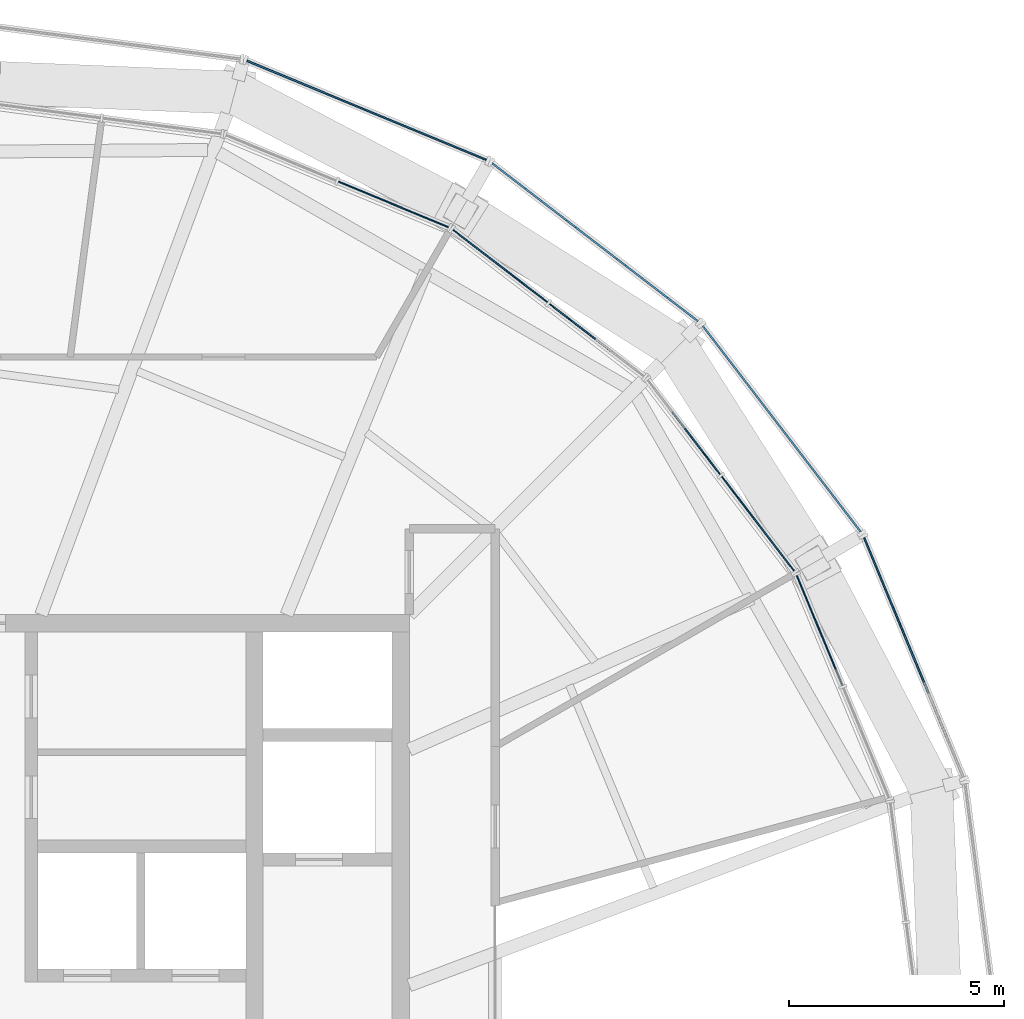
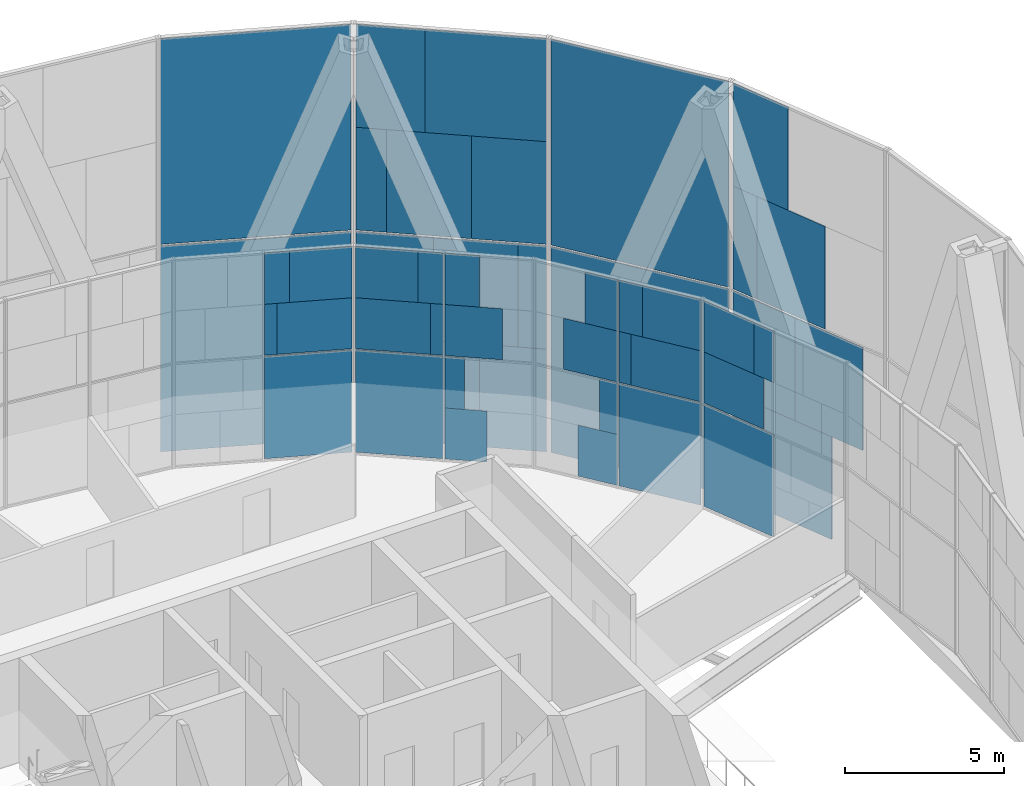
# One storey, part 18 of 22: 47 plates, 8 elements without a shape of their own.
"""IFC4 building model written with IfcOpenShell, lengths in metres."""

from ifc_helpers import new_model, si_unit, direction, frame, origin, origin_2d, place, context, subcontext, project, spatial, rectangle, extrude, material, layer, layer_set, type_object, element, aggregate, save


model = new_model("IFC4")

# Units and contexts
model_context = context("Model", 3, precision=1e-05, world=origin(), true_north=direction((0.0, 1.0)))
body_context = subcontext(model_context, "Body", "Model", "MODEL_VIEW")
ifc_project = project(units=[si_unit("LENGTHUNIT", "METRE"), si_unit("AREAUNIT", "SQUARE_METRE"), si_unit("VOLUMEUNIT", "CUBIC_METRE"), si_unit("PLANEANGLEUNIT", "RADIAN"), si_unit("MASSUNIT", "GRAM", prefix="KILO")], contexts=[model_context])

# Site, building, storey
site_placement = place(None, origin())
site = spatial("IfcSite", under=ifc_project, at=site_placement, CompositionType="ELEMENT")
building_placement = place(site_placement, origin())
building = spatial("IfcBuilding", under=site, at=building_placement, Name="Golbaran Civic Tower", CompositionType="ELEMENT")
storey_placement = place(building_placement, frame((0.0, 0.0, 264.0)))
storey = spatial("IfcBuildingStorey", under=building, at=storey_placement, Name="L64", CompositionType="ELEMENT", Elevation=264.0)

# Curtain wall, plates
ifc_material_1 = material(Name="Aluminium and glass", Category="aluminium")
curtain_wall_type_1 = type_object("IfcCurtainWallType", Name="INNER SKIN CURTAIN WALL EXECUTIVE", PredefinedType="NOTDEFINED", material=ifc_material_1)
curtain_wall_1_placement = place(storey_placement, origin())
curtain_wall_1 = element("IfcCurtainWall", 1, at=curtain_wall_1_placement, inside=storey, type_object=curtain_wall_type_1, Name="Inner skin L64 facet 2 CW2", ObjectType="INNER SKIN", PredefinedType="USERDEFINED")
ifc_material_2 = material(Name="Clear insulating glass", Category="glass")
ifc_layer_1 = layer(ifc_material_2, 0.031982421875, Name="Clear insulating glass")
ifc_layer_set_1 = layer_set([ifc_layer_1], Name="Clear insulating glass")
plate_type_1 = type_object("IfcPlateType", Name="INNER SKIN CURTAIN WALL EXECUTIVE GLAZED PANEL", PredefinedType="CURTAIN_PANEL", material=ifc_layer_set_1)
plate_1_placement = place(storey_placement, frame((19.553466796875, 9.6328125, 0.06005859375), z_axis=(0.0, 0.0, 1.0), x_axis=(-0.382683432349, 0.923879532518, 0.0)))
plate_1 = element("IfcPlate", 2, at=plate_1_placement, type_object=plate_type_1, Name="CW2 panel 2.1", PredefinedType="CURTAIN_PANEL", context=body_context, shape_type="SweptSolid", body=[
    extrude(rectangle(XDim=2.773681640625, YDim=0.031982421875, at=origin_2d()), origin(), (0.0, 0.0, 1.0), 3.909912109375),
])
plate_2_placement = place(storey_placement, frame((19.4765625, 9.818115234375, 4.030029296875), z_axis=(0.0, 0.0, 1.0), x_axis=(-0.382683432349, 0.923879532518, 0.0)))
plate_2 = element("IfcPlate", 3, at=plate_2_placement, type_object=plate_type_1, Name="CW2 panel 2.2 part 2", PredefinedType="CURTAIN_PANEL", context=body_context, shape_type="SweptSolid", body=[
    extrude(rectangle(XDim=2.37255859375, YDim=0.031982421875, at=origin_2d()), origin(), (0.0, 0.0, 1.0), 1.955078125),
])
plate_3_placement = place(storey_placement, frame((19.40185546875, 9.998779296875, 5.98486328125), z_axis=(0.0, 0.0, 1.0), x_axis=(-0.382683432349, 0.923879532518, 0.0)))
plate_3 = element("IfcPlate", 4, at=plate_3_placement, type_object=plate_type_1, Name="CW2 panel 2.2 part 4", PredefinedType="CURTAIN_PANEL", context=body_context, shape_type="SweptSolid", body=[
    extrude(rectangle(XDim=1.981689453125, YDim=0.031982421875, at=origin_2d()), origin(), (0.0, 0.0, 1.0), 1.955078125),
])

curtain_wall_2_placement = place(storey_placement, origin())
curtain_wall_2 = element("IfcCurtainWall", 5, at=curtain_wall_2_placement, inside=storey, type_object=curtain_wall_type_1, Name="Inner skin L64 facet 3 CW2", ObjectType="INNER SKIN", PredefinedType="USERDEFINED")
plate_4_placement = place(storey_placement, frame((18.118896484375, 12.117431640625, 0.06005859375), z_axis=(0.0, 0.0, 1.0), x_axis=(-0.608761429133, 0.793353340196, 0.0)))
plate_4 = element("IfcPlate", 6, at=plate_4_placement, type_object=plate_type_1, Name="CW2 panel 1.1", PredefinedType="CURTAIN_PANEL", context=body_context, shape_type="SweptSolid", body=[
    extrude(rectangle(XDim=2.773681640625, YDim=0.031982421875, at=origin_2d()), origin(), (0.0, 0.0, 1.0), 3.909912109375),
])
plate_5_placement = place(storey_placement, frame((18.2412109375, 11.9580078125, 4.030029296875), z_axis=(0.0, 0.0, 1.0), x_axis=(-0.608761429133, 0.793353340196, 0.0)))
plate_5 = element("IfcPlate", 7, at=plate_5_placement, type_object=plate_type_1, Name="CW2 panel 1.2 part 1", PredefinedType="CURTAIN_PANEL", context=body_context, shape_type="SweptSolid", body=[
    extrude(rectangle(XDim=2.3720703125, YDim=0.031982421875, at=origin_2d()), origin(), (0.0, 0.0, 1.0), 1.955078125),
])
plate_6_placement = place(storey_placement, frame((18.35986328125, 11.80322265625, 5.98486328125), z_axis=(0.0, 0.0, 1.0), x_axis=(-0.608761429133, 0.793353340196, 0.0)))
plate_6 = element("IfcPlate", 8, at=plate_6_placement, type_object=plate_type_1, Name="CW2 panel 1.2 part 3", PredefinedType="CURTAIN_PANEL", context=body_context, shape_type="SweptSolid", body=[
    extrude(rectangle(XDim=1.98193359375, YDim=0.031982421875, at=origin_2d()), origin(), (0.0, 0.0, 1.0), 1.955078125),
])
plate_7_placement = place(storey_placement, frame((16.830322265625, 13.796630859375, 0.06005859375), z_axis=(0.0, 0.0, 1.0), x_axis=(-0.608761429133, 0.793353340196, 0.0)))
plate_7 = element("IfcPlate", 9, at=plate_7_placement, type_object=plate_type_1, Name="CW2 panel 2.1 part 1", PredefinedType="CURTAIN_PANEL", context=body_context, shape_type="SweptSolid", body=[
    extrude(rectangle(XDim=1.340087890625, YDim=0.031982421875, at=origin_2d()), origin(), (0.0, 0.0, 1.0), 1.955078125),
])
plate_8_placement = place(storey_placement, frame((17.05078125, 13.509521484375, 2.014892578125), z_axis=(0.0, 0.0, 1.0), x_axis=(-0.608761429133, 0.793353340196, 0.0)))
plate_8 = element("IfcPlate", 10, at=plate_8_placement, type_object=plate_type_1, Name="CW2 panel 2.1 part 3", PredefinedType="CURTAIN_PANEL", context=body_context, shape_type="SweptSolid", body=[
    extrude(rectangle(XDim=0.615966796875, YDim=0.031982421875, at=origin_2d()), origin(), (0.0, 0.0, 1.0), 1.955078125),
])

curtain_wall_3_placement = place(storey_placement, origin())
curtain_wall_3 = element("IfcCurtainWall", 11, at=curtain_wall_3_placement, inside=storey, type_object=curtain_wall_type_1, Name="Inner skin L64 facet 4 CW2", ObjectType="INNER SKIN", PredefinedType="USERDEFINED")
plate_9_placement = place(storey_placement, frame((13.796630859375, 16.83056640625, 0.06005859375), z_axis=(0.0, 0.0, 1.0), x_axis=(-0.793353340196, 0.608761429133, 0.0)))
plate_9 = element("IfcPlate", 12, at=plate_9_placement, type_object=plate_type_1, Name="CW2 panel 1.1 part 2", PredefinedType="CURTAIN_PANEL", context=body_context, shape_type="SweptSolid", body=[
    extrude(rectangle(XDim=1.339599609375, YDim=0.031982421875, at=origin_2d()), origin(), (0.0, 0.0, 1.0), 1.955078125),
])
plate_10_placement = place(storey_placement, frame((13.509765625, 17.050537109375, 2.014892578125), z_axis=(0.0, 0.0, 1.0), x_axis=(-0.793353340196, 0.608761429133, 0.0)))
plate_10 = element("IfcPlate", 13, at=plate_10_placement, type_object=plate_type_1, Name="CW2 panel 1.1 part 4", PredefinedType="CURTAIN_PANEL", context=body_context, shape_type="SweptSolid", body=[
    extrude(rectangle(XDim=0.61669921875, YDim=0.031982421875, at=origin_2d()), origin(), (0.0, 0.0, 1.0), 1.955078125),
])
plate_11_placement = place(storey_placement, frame((12.117431640625, 18.118896484375, 0.06005859375), z_axis=(0.0, 0.0, 1.0), x_axis=(-0.793353340196, 0.608761429133, 0.0)))
plate_11 = element("IfcPlate", 14, at=plate_11_placement, type_object=plate_type_1, Name="CW2 panel 2.1", PredefinedType="CURTAIN_PANEL", context=body_context, shape_type="SweptSolid", body=[
    extrude(rectangle(XDim=2.773681640625, YDim=0.031982421875, at=origin_2d()), origin(), (0.0, 0.0, 1.0), 3.909912109375),
])
plate_12_placement = place(storey_placement, frame((11.958251953125, 18.240966796875, 4.030029296875), z_axis=(0.0, 0.0, 1.0), x_axis=(-0.793353340196, 0.608761429133, 0.0)))
plate_12 = element("IfcPlate", 15, at=plate_12_placement, type_object=plate_type_1, Name="CW2 panel 2.2 part 2", PredefinedType="CURTAIN_PANEL", context=body_context, shape_type="SweptSolid", body=[
    extrude(rectangle(XDim=2.37255859375, YDim=0.031982421875, at=origin_2d()), origin(), (0.0, 0.0, 1.0), 1.955078125),
])
plate_13_placement = place(storey_placement, frame((11.80322265625, 18.360107421875, 5.98486328125), z_axis=(0.0, 0.0, 1.0), x_axis=(-0.793353340196, 0.608761429133, 0.0)))
plate_13 = element("IfcPlate", 16, at=plate_13_placement, type_object=plate_type_1, Name="CW2 panel 2.2 part 4", PredefinedType="CURTAIN_PANEL", context=body_context, shape_type="SweptSolid", body=[
    extrude(rectangle(XDim=1.981689453125, YDim=0.031982421875, at=origin_2d()), origin(), (0.0, 0.0, 1.0), 1.955078125),
])

curtain_wall_4_placement = place(storey_placement, origin())
curtain_wall_4 = element("IfcCurtainWall", 17, at=curtain_wall_4_placement, inside=storey, type_object=curtain_wall_type_1, Name="Inner skin L64 facet 5 CW2", ObjectType="INNER SKIN", PredefinedType="USERDEFINED")
plate_14_placement = place(storey_placement, frame((9.6328125, 19.553466796875, 0.06005859375), z_axis=(0.0, 0.0, 1.0), x_axis=(-0.923879532518, 0.382683432349, 0.0)))
plate_14 = element("IfcPlate", 18, at=plate_14_placement, type_object=plate_type_1, Name="CW2 panel 1.1", PredefinedType="CURTAIN_PANEL", context=body_context, shape_type="SweptSolid", body=[
    extrude(rectangle(XDim=2.773681640625, YDim=0.031982421875, at=origin_2d()), origin(), (0.0, 0.0, 1.0), 3.909912109375),
])
plate_15_placement = place(storey_placement, frame((9.818359375, 19.4765625, 4.030029296875), z_axis=(0.0, 0.0, 1.0), x_axis=(-0.923879532518, 0.382683432349, 0.0)))
plate_15 = element("IfcPlate", 19, at=plate_15_placement, type_object=plate_type_1, Name="CW2 panel 1.2 part 1", PredefinedType="CURTAIN_PANEL", context=body_context, shape_type="SweptSolid", body=[
    extrude(rectangle(XDim=2.3720703125, YDim=0.031982421875, at=origin_2d()), origin(), (0.0, 0.0, 1.0), 1.955078125),
])
plate_16_placement = place(storey_placement, frame((9.99853515625, 19.40185546875, 5.98486328125), z_axis=(0.0, 0.0, 1.0), x_axis=(-0.923879532518, 0.382683432349, 0.0)))
plate_16 = element("IfcPlate", 20, at=plate_16_placement, type_object=plate_type_1, Name="CW2 panel 1.2 part 3", PredefinedType="CURTAIN_PANEL", context=body_context, shape_type="SweptSolid", body=[
    extrude(rectangle(XDim=1.98193359375, YDim=0.031982421875, at=origin_2d()), origin(), (0.0, 0.0, 1.0), 1.955078125),
])

# Plate
ifc_material_3 = material(Name="Aluminium faced opaque infill panel", Category="aluminium")
ifc_layer_2 = layer(ifc_material_3, 0.031982421875, Name="Aluminium faced opaque infill panel")
ifc_layer_set_2 = layer_set([ifc_layer_2], Name="Aluminium faced opaque infill panel")
plate_type_2 = type_object("IfcPlateType", Name="INNER SKIN CURTAIN WALL EXECUTIVE OPAQUE INFILL PANEL", PredefinedType="CURTAIN_PANEL", material=ifc_layer_set_2)
plate_17_placement = place(storey_placement, frame((19.9326171875, 8.717529296875, 5.98486328125), z_axis=(0.0, 0.0, 1.0), x_axis=(-0.382683432349, 0.923879532518, 0.0)))
plate_17 = element("IfcPlate", 21, at=plate_17_placement, type_object=plate_type_2, Name="CW2 infill panel 2.2 part 3", PredefinedType="CURTAIN_PANEL", context=body_context, shape_type="SweptSolid", body=[
    extrude(rectangle(XDim=0.7919921875, YDim=0.031982421875, at=origin_2d()), origin(), (0.0, 0.0, 1.0), 1.955078125),
])

aggregate(curtain_wall_1, [plate_1, plate_2, plate_17, plate_3])

plate_18_placement = place(storey_placement, frame((17.39697265625, 13.058349609375, 4.030029296875), z_axis=(0.0, 0.0, 1.0), x_axis=(-0.608761429133, 0.793353340196, 0.0)))
plate_18 = element("IfcPlate", 22, at=plate_18_placement, type_object=plate_type_2, Name="CW2 infill panel 1.2 part 2", PredefinedType="CURTAIN_PANEL", context=body_context, shape_type="SweptSolid", body=[
    extrude(rectangle(XDim=0.401611328125, YDim=0.031982421875, at=origin_2d()), origin(), (0.0, 0.0, 1.0), 1.955078125),
])

plate_19_placement = place(storey_placement, frame((17.515625, 12.903564453125, 5.98486328125), z_axis=(0.0, 0.0, 1.0), x_axis=(-0.608761429133, 0.793353340196, 0.0)))
plate_19 = element("IfcPlate", 23, at=plate_19_placement, type_object=plate_type_2, Name="CW2 infill panel 1.2 part 4", PredefinedType="CURTAIN_PANEL", context=body_context, shape_type="SweptSolid", body=[
    extrude(rectangle(XDim=0.79150390625, YDim=0.031982421875, at=origin_2d()), origin(), (0.0, 0.0, 1.0), 1.955078125),
])

plate_20_placement = place(storey_placement, frame((16.68212890625, 13.989990234375, 4.030029296875), z_axis=(0.0, 0.0, 1.0), x_axis=(-0.608761429133, 0.793353340196, 0.0)))
plate_20 = element("IfcPlate", 24, at=plate_20_placement, type_object=plate_type_2, Name="CW2 infill panel 2.2 part 1", PredefinedType="CURTAIN_PANEL", context=body_context, shape_type="SweptSolid", body=[
    extrude(rectangle(XDim=1.826904296875, YDim=0.031982421875, at=origin_2d()), origin(), (0.0, 0.0, 1.0), 1.955078125),
])

plate_21_placement = place(storey_placement, frame((16.902099609375, 13.703125, 5.98486328125), z_axis=(0.0, 0.0, 1.0), x_axis=(-0.608761429133, 0.793353340196, 0.0)))
plate_21 = element("IfcPlate", 25, at=plate_21_placement, type_object=plate_type_2, Name="CW2 infill panel 2.2 part 3", PredefinedType="CURTAIN_PANEL", context=body_context, shape_type="SweptSolid", body=[
    extrude(rectangle(XDim=1.10400390625, YDim=0.031982421875, at=origin_2d()), origin(), (0.0, 0.0, 1.0), 1.955078125),
])

aggregate(curtain_wall_2, [plate_4, plate_5, plate_18, plate_6, plate_19, plate_7, plate_8, plate_20, plate_21])

plate_22_placement = place(storey_placement, frame((13.990234375, 16.681884765625, 4.030029296875), z_axis=(0.0, 0.0, 1.0), x_axis=(-0.793353340196, 0.608761429133, 0.0)))
plate_22 = element("IfcPlate", 26, at=plate_22_placement, type_object=plate_type_2, Name="CW2 infill panel 1.2 part 2", PredefinedType="CURTAIN_PANEL", context=body_context, shape_type="SweptSolid", body=[
    extrude(rectangle(XDim=1.82763671875, YDim=0.031982421875, at=origin_2d()), origin(), (0.0, 0.0, 1.0), 1.955078125),
])

plate_23_placement = place(storey_placement, frame((13.703369140625, 16.902099609375, 5.98486328125), z_axis=(0.0, 0.0, 1.0), x_axis=(-0.793353340196, 0.608761429133, 0.0)))
plate_23 = element("IfcPlate", 27, at=plate_23_placement, type_object=plate_type_2, Name="CW2 infill panel 1.2 part 4", PredefinedType="CURTAIN_PANEL", context=body_context, shape_type="SweptSolid", body=[
    extrude(rectangle(XDim=1.1044921875, YDim=0.031982421875, at=origin_2d()), origin(), (0.0, 0.0, 1.0), 1.955078125),
])

plate_24_placement = place(storey_placement, frame((13.05859375, 17.396728515625, 4.030029296875), z_axis=(0.0, 0.0, 1.0), x_axis=(-0.793353340196, 0.608761429133, 0.0)))
plate_24 = element("IfcPlate", 28, at=plate_24_placement, type_object=plate_type_2, Name="CW2 infill panel 2.2 part 1", PredefinedType="CURTAIN_PANEL", context=body_context, shape_type="SweptSolid", body=[
    extrude(rectangle(XDim=0.40087890625, YDim=0.031982421875, at=origin_2d()), origin(), (0.0, 0.0, 1.0), 1.955078125),
])

plate_25_placement = place(storey_placement, frame((12.9033203125, 17.515869140625, 5.98486328125), z_axis=(0.0, 0.0, 1.0), x_axis=(-0.793353340196, 0.608761429133, 0.0)))
plate_25 = element("IfcPlate", 29, at=plate_25_placement, type_object=plate_type_2, Name="CW2 infill panel 2.2 part 3", PredefinedType="CURTAIN_PANEL", context=body_context, shape_type="SweptSolid", body=[
    extrude(rectangle(XDim=0.7919921875, YDim=0.031982421875, at=origin_2d()), origin(), (0.0, 0.0, 1.0), 1.955078125),
])

aggregate(curtain_wall_3, [plate_9, plate_10, plate_22, plate_23, plate_11, plate_24, plate_12, plate_25, plate_13])

plate_26_placement = place(storey_placement, frame((8.537109375, 20.00732421875, 4.030029296875), z_axis=(0.0, 0.0, 1.0), x_axis=(-0.923879532518, 0.382683432349, 0.0)))
plate_26 = element("IfcPlate", 30, at=plate_26_placement, type_object=plate_type_2, Name="CW2 infill panel 1.2 part 2", PredefinedType="CURTAIN_PANEL", context=body_context, shape_type="SweptSolid", body=[
    extrude(rectangle(XDim=0.401611328125, YDim=0.031982421875, at=origin_2d()), origin(), (0.0, 0.0, 1.0), 1.955078125),
])

plate_27_placement = place(storey_placement, frame((8.71728515625, 19.9326171875, 5.98486328125), z_axis=(0.0, 0.0, 1.0), x_axis=(-0.923879532518, 0.382683432349, 0.0)))
plate_27 = element("IfcPlate", 31, at=plate_27_placement, type_object=plate_type_2, Name="CW2 infill panel 1.2 part 4", PredefinedType="CURTAIN_PANEL", context=body_context, shape_type="SweptSolid", body=[
    extrude(rectangle(XDim=0.79150390625, YDim=0.031982421875, at=origin_2d()), origin(), (0.0, 0.0, 1.0), 1.955078125),
])

aggregate(curtain_wall_4, [plate_14, plate_15, plate_26, plate_16, plate_27])

# Curtain wall, plates
curtain_wall_type_2 = type_object("IfcCurtainWallType", Name="OUTER SKIN TERRACOTTA SCREEN", PredefinedType="NOTDEFINED", material=ifc_material_1)
curtain_wall_5_placement = place(storey_placement, origin())
curtain_wall_5 = element("IfcCurtainWall", 32, at=curtain_wall_5_placement, inside=storey, type_object=curtain_wall_type_2, Name="Outer skin L64 facet 2 CW3", ObjectType="OUTER SKIN", PredefinedType="USERDEFINED")
ifc_material_4 = material(Name="Clear laminated glass", Category="glass")
ifc_layer_3 = layer(ifc_material_4, 0.0400390625, Name="Clear laminated glass")
ifc_layer_set_3 = layer_set([ifc_layer_3], Name="Clear laminated glass")
plate_type_3 = type_object("IfcPlateType", Name="OUTER SKIN CLEAR GLASS PANEL", PredefinedType="CURTAIN_PANEL", material=ifc_layer_set_3)
plate_28_placement = place(storey_placement, frame((21.336181640625, 9.989501953125, -0.6298828125), z_axis=(0.0, 0.0, 1.0), x_axis=(-0.382683432333, 0.923879532525, 0.0)))
plate_28 = element("IfcPlate", 33, at=plate_28_placement, type_object=plate_type_3, Name="CW3 panel 1.1 part 2", PredefinedType="CURTAIN_PANEL", context=body_context, shape_type="SweptSolid", body=[
    extrude(rectangle(XDim=3.908935546875, YDim=0.0400390625, at=origin_2d()), origin(), (0.0, 0.0, 1.0), 3.93994140625),
])
plate_29_placement = place(storey_placement, frame((21.057373046875, 10.66259765625, 3.31005859375), z_axis=(0.0, 0.0, 1.0), x_axis=(-0.382683432333, 0.923879532525, 0.0)))
plate_29 = element("IfcPlate", 34, at=plate_29_placement, type_object=plate_type_3, Name="CW3 panel 1.1 part 5", PredefinedType="CURTAIN_PANEL", context=body_context, shape_type="SweptSolid", body=[
    extrude(rectangle(XDim=2.451904296875, YDim=0.0400390625, at=origin_2d()), origin(), (0.0, 0.0, 1.0), 3.93994140625),
])
plate_30_placement = place(storey_placement, frame((20.77294921875, 11.349365234375, 7.330078125), z_axis=(0.0, 0.0, 1.0), x_axis=(-0.382683432333, 0.923879532525, 0.0)))
plate_30 = element("IfcPlate", 35, at=plate_30_placement, type_object=plate_type_3, Name="CW3 panel 1.2 part 3", PredefinedType="CURTAIN_PANEL", context=body_context, shape_type="SweptSolid", body=[
    extrude(rectangle(XDim=0.96484375, YDim=0.0400390625, at=origin_2d()), origin(), (0.0, 0.0, 1.0), 3.93994140625),
])

curtain_wall_6_placement = place(storey_placement, origin())
curtain_wall_6 = element("IfcCurtainWall", 36, at=curtain_wall_6_placement, inside=storey, type_object=curtain_wall_type_2, Name="Outer skin L64 facet 4 CW3", ObjectType="OUTER SKIN", PredefinedType="USERDEFINED")
plate_31_placement = place(storey_placement, frame((13.48291015625, 19.3193359375, -0.6298828125), z_axis=(0.0, 0.0, 1.0), x_axis=(-0.793353340323, 0.608761428967, 0.0)))
plate_31 = element("IfcPlate", 37, at=plate_31_placement, type_object=plate_type_3, Name="CW3 panel 1.1 part 2", PredefinedType="CURTAIN_PANEL", context=body_context, shape_type="SweptSolid", body=[
    extrude(rectangle(XDim=3.908935546875, YDim=0.0400390625, at=origin_2d()), origin(), (0.0, 0.0, 1.0), 3.93994140625),
])
plate_32_placement = place(storey_placement, frame((16.36669921875, 17.1064453125, 3.31005859375), z_axis=(0.0, 0.0, 1.0), x_axis=(-0.793353340323, 0.608761428967, 0.0)))
plate_32 = element("IfcPlate", 38, at=plate_32_placement, type_object=plate_type_3, Name="CW3 panel 1.1 part 3", PredefinedType="CURTAIN_PANEL", context=body_context, shape_type="SweptSolid", body=[
    extrude(rectangle(XDim=0.89501953125, YDim=0.0400390625, at=origin_2d()), origin(), (0.0, 0.0, 1.0), 3.93994140625),
])
plate_33_placement = place(storey_placement, frame((12.905029296875, 19.7626953125, 3.31005859375), z_axis=(0.0, 0.0, 1.0), x_axis=(-0.793353340323, 0.608761428967, 0.0)))
plate_33 = element("IfcPlate", 39, at=plate_33_placement, type_object=plate_type_3, Name="CW3 panel 1.1 part 5", PredefinedType="CURTAIN_PANEL", context=body_context, shape_type="SweptSolid", body=[
    extrude(rectangle(XDim=2.451904296875, YDim=0.0400390625, at=origin_2d()), origin(), (0.0, 0.0, 1.0), 3.93994140625),
])
plate_34_placement = place(storey_placement, frame((15.776611328125, 17.559326171875, 7.330078125), z_axis=(0.0, 0.0, 1.0), x_axis=(-0.793353340323, 0.608761428967, 0.0)))
plate_34 = element("IfcPlate", 40, at=plate_34_placement, type_object=plate_type_3, Name="CW3 panel 1.2 part 1", PredefinedType="CURTAIN_PANEL", context=body_context, shape_type="SweptSolid", body=[
    extrude(rectangle(XDim=2.383056640625, YDim=0.0400390625, at=origin_2d()), origin(), (0.0, 0.0, 1.0), 3.93994140625),
])
plate_35_placement = place(storey_placement, frame((12.315185546875, 20.21533203125, 7.330078125), z_axis=(0.0, 0.0, 1.0), x_axis=(-0.793353340323, 0.608761428967, 0.0)))
plate_35 = element("IfcPlate", 41, at=plate_35_placement, type_object=plate_type_3, Name="CW3 panel 1.2 part 3", PredefinedType="CURTAIN_PANEL", context=body_context, shape_type="SweptSolid", body=[
    extrude(rectangle(XDim=0.96484375, YDim=0.0400390625, at=origin_2d()), origin(), (0.0, 0.0, 1.0), 3.93994140625),
])
plate_36_placement = place(storey_placement, frame((15.19384765625, 18.006591796875, 11.27001953125), z_axis=(0.0, 0.0, 1.0), x_axis=(-0.793353340323, 0.608761428967, 0.0)))
plate_36 = element("IfcPlate", 42, at=plate_36_placement, type_object=plate_type_3, Name="CW3 panel 1.2 part 4", PredefinedType="CURTAIN_PANEL", context=body_context, shape_type="SweptSolid", body=[
    extrude(rectangle(XDim=3.85205078125, YDim=0.0400390625, at=origin_2d()), origin(), (0.0, 0.0, 1.0), 3.93994140625),
])

# Plate
ifc_material_5 = material(Name="Terracotta baguette screen", Category="masonry")
ifc_layer_4 = layer(ifc_material_5, 0.0400390625, Name="Terracotta baguette screen")
ifc_layer_set_4 = layer_set([ifc_layer_4], Name="Terracotta baguette screen")
plate_type_4 = type_object("IfcPlateType", Name="OUTER SKIN TERRACOTTA INFILL PANEL", PredefinedType="CURTAIN_PANEL", material=ifc_layer_set_4)
plate_37_placement = place(storey_placement, frame((22.041259765625, 8.287353515625, 3.31005859375), z_axis=(0.0, 0.0, 1.0), x_axis=(-0.382683432333, 0.923879532525, 0.0)))
plate_37 = element("IfcPlate", 43, at=plate_37_placement, type_object=plate_type_4, Name="CW3 infill panel 1.1 part 4", PredefinedType="CURTAIN_PANEL", context=body_context, shape_type="SweptSolid", body=[
    extrude(rectangle(XDim=2.68994140625, YDim=0.0400390625, at=origin_2d()), origin(), (0.0, 0.0, 1.0), 3.93994140625),
])

plate_38_placement = place(storey_placement, frame((21.47216796875, 9.66162109375, 7.330078125), z_axis=(0.0, 0.0, 1.0), x_axis=(-0.382683432333, 0.923879532525, 0.0)))
plate_38 = element("IfcPlate", 44, at=plate_38_placement, type_object=plate_type_4, Name="CW3 infill panel 1.2 part 2", PredefinedType="CURTAIN_PANEL", context=body_context, shape_type="SweptSolid", body=[
    extrude(rectangle(XDim=2.68896484375, YDim=0.0400390625, at=origin_2d()), origin(), (0.0, 0.0, 1.0), 3.93994140625),
])

plate_39_placement = place(storey_placement, frame((21.00634765625, 10.785888671875, 11.27001953125), z_axis=(0.0, 0.0, 1.0), x_axis=(-0.382683432333, 0.923879532525, 0.0)))
plate_39 = element("IfcPlate", 45, at=plate_39_placement, type_object=plate_type_4, Name="CW3 infill panel 1.2 part 5", PredefinedType="CURTAIN_PANEL", context=body_context, shape_type="SweptSolid", body=[
    extrude(rectangle(XDim=2.184814453125, YDim=0.0400390625, at=origin_2d()), origin(), (0.0, 0.0, 1.0), 3.93994140625),
])

aggregate(curtain_wall_5, [plate_28, plate_37, plate_29, plate_38, plate_30, plate_39])

plate_40_placement = place(storey_placement, frame((15.877685546875, 17.481689453125, -0.6298828125), z_axis=(0.0, 0.0, 1.0), x_axis=(-0.793353340323, 0.608761428967, 0.0)))
plate_40 = element("IfcPlate", 46, at=plate_40_placement, type_object=plate_type_4, Name="CW3 infill panel 1.1 part 1", PredefinedType="CURTAIN_PANEL", context=body_context, shape_type="SweptSolid", body=[
    extrude(rectangle(XDim=2.1279296875, YDim=0.0400390625, at=origin_2d()), origin(), (0.0, 0.0, 1.0), 3.93994140625),
])

plate_41_placement = place(storey_placement, frame((14.94482421875, 18.197509765625, 3.31005859375), z_axis=(0.0, 0.0, 1.0), x_axis=(-0.793353340323, 0.608761428967, 0.0)))
plate_41 = element("IfcPlate", 47, at=plate_41_placement, type_object=plate_type_4, Name="CW3 infill panel 1.1 part 4", PredefinedType="CURTAIN_PANEL", context=body_context, shape_type="SweptSolid", body=[
    extrude(rectangle(XDim=2.68994140625, YDim=0.0400390625, at=origin_2d()), origin(), (0.0, 0.0, 1.0), 3.93994140625),
])

plate_42_placement = place(storey_placement, frame((13.7646484375, 19.103271484375, 7.330078125), z_axis=(0.0, 0.0, 1.0), x_axis=(-0.793353340323, 0.608761428967, 0.0)))
plate_42 = element("IfcPlate", 48, at=plate_42_placement, type_object=plate_type_4, Name="CW3 infill panel 1.2 part 2", PredefinedType="CURTAIN_PANEL", context=body_context, shape_type="SweptSolid", body=[
    extrude(rectangle(XDim=2.68896484375, YDim=0.0400390625, at=origin_2d()), origin(), (0.0, 0.0, 1.0), 3.93994140625),
])

plate_43_placement = place(storey_placement, frame((12.799072265625, 19.843994140625, 11.27001953125), z_axis=(0.0, 0.0, 1.0), x_axis=(-0.793353340323, 0.608761428967, 0.0)))
plate_43 = element("IfcPlate", 49, at=plate_43_placement, type_object=plate_type_4, Name="CW3 infill panel 1.2 part 5", PredefinedType="CURTAIN_PANEL", context=body_context, shape_type="SweptSolid", body=[
    extrude(rectangle(XDim=2.184814453125, YDim=0.0400390625, at=origin_2d()), origin(), (0.0, 0.0, 1.0), 3.93994140625),
])

aggregate(curtain_wall_6, [plate_40, plate_31, plate_32, plate_41, plate_33, plate_34, plate_42, plate_35, plate_36, plate_43])

# Curtain wall, plates
curtain_wall_7_placement = place(storey_placement, origin())
curtain_wall_7 = element("IfcCurtainWall", 50, at=curtain_wall_7_placement, inside=storey, type_object=curtain_wall_type_2, Name="Outer skin L64 facet 3 CW3", ObjectType="OUTER SKIN", PredefinedType="USERDEFINED")
ifc_layer_5 = layer(ifc_material_5, 0.0400390625, Name="Terracotta baguette screen")
ifc_layer_set_5 = layer_set([ifc_layer_5], Name="Terracotta baguette screen")
plate_type_5 = type_object("IfcPlateType", Name="OUTER SKIN TERRACOTTA SCREEN PANEL", PredefinedType="CURTAIN_PANEL", material=ifc_layer_set_5)
plate_44_placement = place(storey_placement, frame((18.67138671875, 14.3271484375, -0.6298828125), z_axis=(0.0, 0.0, 1.0), x_axis=(-0.608761428967, 0.793353340323, 0.0)))
plate_44 = element("IfcPlate", 51, at=plate_44_placement, type_object=plate_type_5, Name="CW3 terracotta screen panel 1.1", PredefinedType="CURTAIN_PANEL", context=body_context, shape_type="SweptSolid", body=[
    extrude(rectangle(XDim=6.036865234375, YDim=0.0400390625, at=origin_2d()), origin(), (0.0, 0.0, 1.0), 7.8798828125),
])
plate_45_placement = place(storey_placement, frame((18.67138671875, 14.3271484375, 7.330078125), z_axis=(0.0, 0.0, 1.0), x_axis=(-0.608761428967, 0.793353340323, 0.0)))
plate_45 = element("IfcPlate", 52, at=plate_45_placement, type_object=plate_type_5, Name="CW3 terracotta screen panel 1.2", PredefinedType="CURTAIN_PANEL", context=body_context, shape_type="SweptSolid", body=[
    extrude(rectangle(XDim=6.036865234375, YDim=0.0400390625, at=origin_2d()), origin(), (0.0, 0.0, 1.0), 7.8798828125),
])
aggregate(curtain_wall_7, [plate_44, plate_45])

curtain_wall_8_placement = place(storey_placement, origin())
curtain_wall_8 = element("IfcCurtainWall", 53, at=curtain_wall_8_placement, inside=storey, type_object=curtain_wall_type_2, Name="Outer skin L64 facet 5 CW3", ObjectType="OUTER SKIN", PredefinedType="USERDEFINED")
plate_46_placement = place(storey_placement, frame((9.00634765625, 21.743408203125, -0.6298828125), z_axis=(0.0, 0.0, 1.0), x_axis=(-0.923879532525, 0.382683432333, 0.0)))
plate_46 = element("IfcPlate", 54, at=plate_46_placement, type_object=plate_type_5, Name="CW3 terracotta screen panel 1.1", PredefinedType="CURTAIN_PANEL", context=body_context, shape_type="SweptSolid", body=[
    extrude(rectangle(XDim=6.036865234375, YDim=0.0400390625, at=origin_2d()), origin(), (0.0, 0.0, 1.0), 7.8798828125),
])
plate_47_placement = place(storey_placement, frame((9.00634765625, 21.743408203125, 7.330078125), z_axis=(0.0, 0.0, 1.0), x_axis=(-0.923879532525, 0.382683432333, 0.0)))
plate_47 = element("IfcPlate", 55, at=plate_47_placement, type_object=plate_type_5, Name="CW3 terracotta screen panel 1.2", PredefinedType="CURTAIN_PANEL", context=body_context, shape_type="SweptSolid", body=[
    extrude(rectangle(XDim=6.036865234375, YDim=0.0400390625, at=origin_2d()), origin(), (0.0, 0.0, 1.0), 7.8798828125),
])
aggregate(curtain_wall_8, [plate_46, plate_47])

save(model, "model.ifc")
